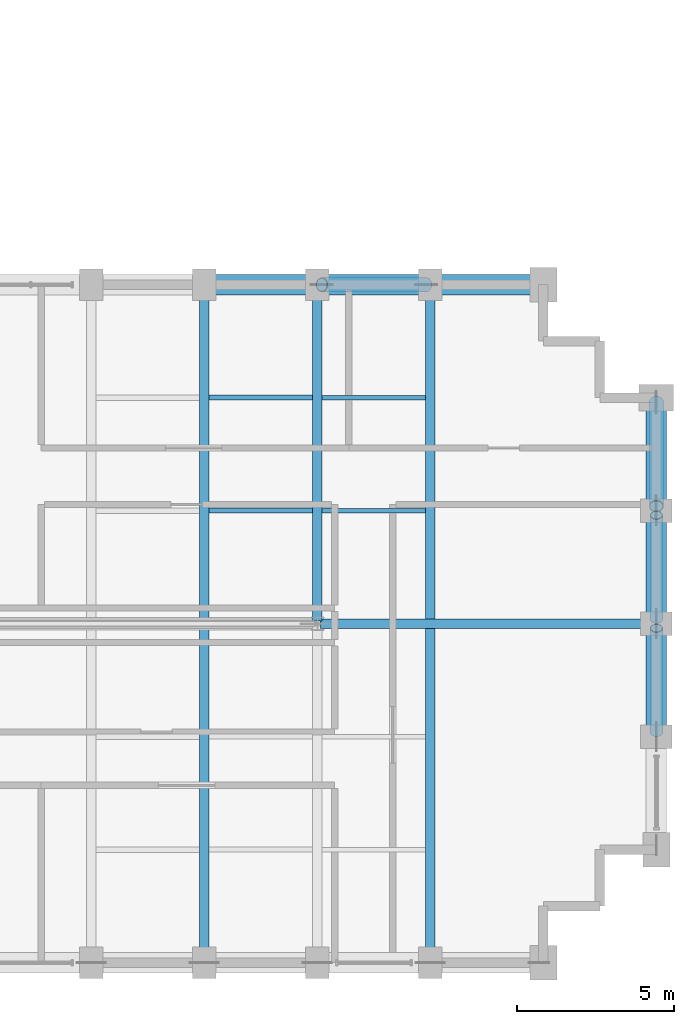
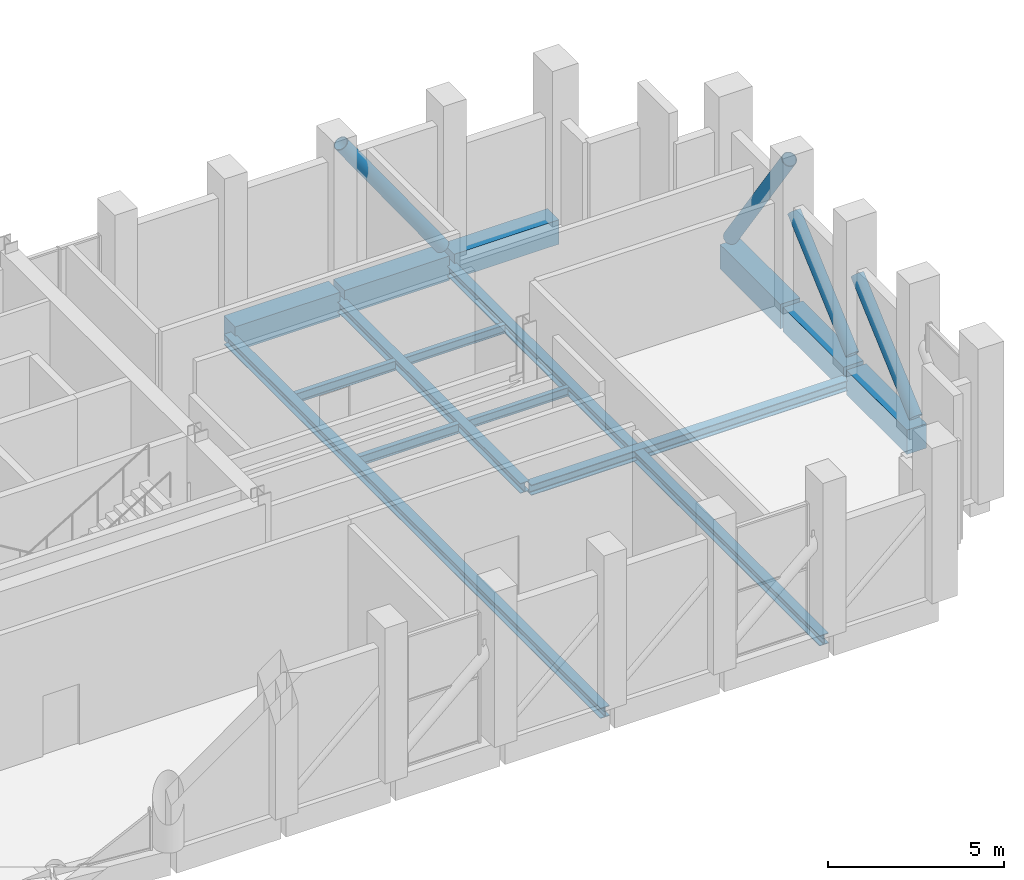
# One storey, part 10 of 19: 14 beams, 4 members.
"""IFC4 building model written with IfcOpenShell, lengths in metres."""

import ifcopenshell
import ifcopenshell.guid

model = None  # the IFC model being written
_history = None  # IfcOwnerHistory: only IFC2X3 demands one
_inside = {}  # id of a spatial element -> (the spatial element, [elements in it])
_under = {}  # id of a project, library or spatial element -> (it, [spatial elements below it])
_declared = {}  # id of a project -> (the project, [libraries it declares])
_typed = {}  # id of a type object -> (the type object, [elements of that type])
_made_of = {}  # id of a material, layer set ... -> (it, [elements and type objects made of it])


def new_model(schema):
    """Start an empty IFC model of exactly this schema.

    Asked for "IFC4X3", IfcOpenShell would pick the latest addendum, in which some entities
    have other attributes; the version numbers below select the first issue.
    IFC2X3 requires an IfcOwnerHistory on every rooted entity: one is made here for all.
    """
    global model, _history
    if schema == "IFC4X3":
        model = ifcopenshell.file(schema_version=(4, 3, 0, 0))
    else:
        model = ifcopenshell.file(schema=schema)
    _inside.clear()
    _under.clear()
    _declared.clear()
    _typed.clear()
    _made_of.clear()
    _history = None
    if model.schema == "IFC2X3":
        org = make("IfcOrganization", Name="unknown")
        user = make(
            "IfcPersonAndOrganization",
            ThePerson=make("IfcPerson", FamilyName="unknown"),
            TheOrganization=org,
        )
        app = make(
            "IfcApplication",
            ApplicationDeveloper=org,
            Version="unknown",
            ApplicationFullName="unknown",
            ApplicationIdentifier="unknown",
        )
        _history = make(
            "IfcOwnerHistory",
            OwningUser=user,
            OwningApplication=app,
            ChangeAction="ADDED",
            CreationDate=0,
        )
    return model


def make(cls, **values):
    """One entity of the class cls with the attributes given. An attribute that is None is left unset."""
    return model.create_entity(
        cls, **{name: value for name, value in values.items() if value is not None}
    )


def rooted(cls, **values):
    """An entity with a GlobalId (a new one), such as an element, a storey or a relation."""
    return make(cls, GlobalId=ifcopenshell.guid.new(), OwnerHistory=_history, **values)


def si_unit(unit_type, name, prefix=None):
    """IfcSIUnit, for example si_unit("LENGTHUNIT", "METRE", prefix="MILLI")."""
    return make("IfcSIUnit", UnitType=unit_type, Prefix=prefix, Name=name)


def assignment(units):
    """IfcUnitAssignment: the units of a project."""
    return None if units is None else make("IfcUnitAssignment", Units=units)


def point(xyz):
    """IfcCartesianPoint."""
    return None if xyz is None else make("IfcCartesianPoint", Coordinates=xyz)


def direction(xyz):
    """IfcDirection."""
    return None if xyz is None else make("IfcDirection", DirectionRatios=xyz)


def frame(location, z_axis=None, x_axis=None):
    """IfcAxis2Placement3D, a coordinate frame: its origin and axes. An axis left out is left unset."""
    return make(
        "IfcAxis2Placement3D",
        Location=point(location),
        Axis=direction(z_axis),
        RefDirection=direction(x_axis),
    )


def frame_2d(location, x_axis=None):
    """IfcAxis2Placement2D, a coordinate frame in the plane: its origin and x axis."""
    return make(
        "IfcAxis2Placement2D", Location=point(location), RefDirection=direction(x_axis)
    )


def origin():
    """The frame at (0, 0, 0) with its axes left unset."""
    return frame((0.0, 0.0, 0.0))


def origin_2d():
    """The frame at (0, 0) in the plane with its x axis left unset."""
    return frame_2d((0.0, 0.0))


def place(relative_to, where):
    """IfcLocalPlacement: puts the frame where relative to a parent placement (None: the world)."""
    return make(
        "IfcLocalPlacement", PlacementRelTo=relative_to, RelativePlacement=where
    )


def context(
    kind, dimensions, precision=None, world=None, true_north=None, identifier=None
):
    """IfcGeometricRepresentationContext, for example the 3D "Model" context."""
    return make(
        "IfcGeometricRepresentationContext",
        ContextIdentifier=identifier,
        ContextType=kind,
        CoordinateSpaceDimension=dimensions,
        Precision=precision,
        WorldCoordinateSystem=world,
        TrueNorth=true_north,
    )


def subcontext(parent, identifier, kind, view, scale=None):
    """IfcGeometricRepresentationSubContext, for example "Body" below "Model"."""
    return make(
        "IfcGeometricRepresentationSubContext",
        ContextIdentifier=identifier,
        ContextType=kind,
        ParentContext=parent,
        TargetScale=scale,
        TargetView=view,
    )


def project(units=None, contexts=None):
    """IfcProject with its units and contexts."""
    return rooted(
        "IfcProject",
        Name="project",
        RepresentationContexts=contexts,
        UnitsInContext=assignment(units),
    )


def spatial(cls, under=None, at=None, **own):
    """A site, building, storey or space (cls), placed at a placement, below another one or the project."""
    s = rooted(cls, ObjectPlacement=at, **own)
    if under is not None:
        _under.setdefault(under.id(), (under, []))[1].append(s)
    return s


def profile(cls, at=None, kind="AREA", **sizes):
    """A parametric profile (cls). Its sizes go by their IFC names, for example OverallWidth=200.0."""
    return make(cls, ProfileType=kind, Position=at, **sizes)


def rectangle(**sizes):
    """IfcRectangleProfileDef."""
    return profile("IfcRectangleProfileDef", **sizes)


def hollow_circle(**sizes):
    """IfcCircleHollowProfileDef."""
    return profile("IfcCircleHollowProfileDef", **sizes)


def i_section(**sizes):
    """IfcIShapeProfileDef."""
    return profile("IfcIShapeProfileDef", **sizes)


def extrude(swept, where, along, depth):
    """IfcExtrudedAreaSolid: the profile swept, set in the frame where, extruded along a direction by depth."""
    return make(
        "IfcExtrudedAreaSolid",
        SweptArea=swept,
        Position=where,
        ExtrudedDirection=direction(along),
        Depth=depth,
    )


def shape(context_of_items, identifier, shape_type, items):
    """IfcShapeRepresentation: the items that make up one representation, for example the "Body"."""
    return make(
        "IfcShapeRepresentation",
        ContextOfItems=context_of_items,
        RepresentationIdentifier=identifier,
        RepresentationType=shape_type,
        Items=items,
    )


def material(Name=None, Category=None):
    """IfcMaterial."""
    return make("IfcMaterial", Name=Name, Category=Category)


def material_profile(
    of_material, cross_section, Name=None, Category=None, Priority=None
):
    """IfcMaterialProfile: a cross section and its material."""
    return make(
        "IfcMaterialProfile",
        Name=Name,
        Material=of_material,
        Profile=cross_section,
        Priority=Priority,
        Category=Category,
    )


def profile_set(profiles, Name=None, composite=None):
    """IfcMaterialProfileSet."""
    return make(
        "IfcMaterialProfileSet",
        Name=Name,
        MaterialProfiles=profiles,
        CompositeProfile=composite,
    )


def made_of(thing, what):
    """Note that an element or type object is made of a material, layer set ...; save() writes the relation."""
    if what is not None:
        _made_of.setdefault(what.id(), (what, []))[1].append(thing)
    return thing


def type_object(cls, material=None, **own):
    """A type object (cls), such as IfcWallType, which elements share."""
    return made_of(rooted(cls, **own), material)


def element(
    cls,
    number,
    at=None,
    inside=None,
    cuts=None,
    type_object=None,
    material=None,
    context=None,
    identifier="Body",
    shape_type=None,
    held_by="IfcProductDefinitionShape",
    body=None,
    shapes=None,
    **own,
):
    """One element of the class cls, such as IfcWall. Its Tag is "e" and its number.

    at: its placement. inside: the storey or other place that contains it. cuts: it is an
    opening in that element (IfcRelVoidsElement). A single representation is given by context,
    identifier, shape_type and body (its items); several are given by shapes. held_by: the class
    of the entity that holds the representations. save() writes the other relations.
    """
    e = rooted(cls, Tag="e%d" % number, ObjectPlacement=at, **own)
    if body is not None:
        shapes = [shape(context, identifier, shape_type, body)]
    if shapes is not None:
        e.Representation = make(held_by, Representations=shapes)
    if inside is not None:
        _inside.setdefault(inside.id(), (inside, []))[1].append(e)
    if cuts is not None:
        rooted(
            "IfcRelVoidsElement", RelatingBuildingElement=cuts, RelatedOpeningElement=e
        )
    if type_object is not None:
        _typed.setdefault(type_object.id(), (type_object, []))[1].append(e)
    return made_of(e, material)


def aggregate(whole, parts):
    """IfcRelAggregates: a whole, such as a stair, and the parts it consists of."""
    return rooted("IfcRelAggregates", RelatingObject=whole, RelatedObjects=parts)


def save(model, path):
    """Write the relations noted so far, then the file.

    IfcRelAggregates (storeys below a building ...), IfcRelContainedInSpatialStructure (elements
    in a storey), IfcRelDefinesByType, IfcRelAssociatesMaterial and IfcRelDeclares: one each for
    every whole, place, type object, material and project.
    """
    for whole, parts in _under.values():
        aggregate(whole, parts)
    for where, things in _inside.values():
        rooted(
            "IfcRelContainedInSpatialStructure",
            RelatedElements=things,
            RelatingStructure=where,
        )
    for kind, things in _typed.values():
        rooted("IfcRelDefinesByType", RelatedObjects=things, RelatingType=kind)
    for what, things in _made_of.values():
        rooted("IfcRelAssociatesMaterial", RelatedObjects=things, RelatingMaterial=what)
    for by, libraries in _declared.values():
        rooted("IfcRelDeclares", RelatingContext=by, RelatedDefinitions=libraries)
    model.write(path)


model = new_model("IFC4")

# Units and contexts
model_context = context("Model", 3, precision=1e-05, world=origin(), true_north=direction((0.0, 1.0)))
body_context = subcontext(model_context, "Body", "Model", "MODEL_VIEW")
ifc_project = project(units=[si_unit("LENGTHUNIT", "METRE"), si_unit("AREAUNIT", "SQUARE_METRE"), si_unit("VOLUMEUNIT", "CUBIC_METRE"), si_unit("PLANEANGLEUNIT", "RADIAN"), si_unit("MASSUNIT", "GRAM", prefix="KILO")], contexts=[model_context])

# Site, building, storey
site_placement = place(None, origin())
site = spatial("IfcSite", under=ifc_project, at=site_placement, CompositionType="ELEMENT")
building_placement = place(site_placement, origin())
building = spatial("IfcBuilding", under=site, at=building_placement, Name="Solnavia Interchange Tower", CompositionType="ELEMENT")
storey_placement = place(building_placement, frame((0.0, 0.0, 169.39990234375)))
storey = spatial("IfcBuildingStorey", under=building, at=storey_placement, Name="L42", CompositionType="ELEMENT", Elevation=169.39990234375)

# Beams
ifc_material_1 = material(Name="Steel S460", Category="steel")
ifc_material_profile_1 = material_profile(ifc_material_1, i_section(OverallWidth=0.300048828125, OverallDepth=0.360107421875, WebThickness=0.012451171875, FlangeThickness=0.0224609375, FilletRadius=0.027099609375, at=origin_2d()), Name="HEB 360")
ifc_profile_set_1 = profile_set([ifc_material_profile_1], Name="Steel S460")
beam_type_1 = type_object("IfcBeamType", Name="Beam-Girder-HEB360", PredefinedType="BEAM", material=ifc_profile_set_1)
beam_1_placement = place(storey_placement, frame((43.280029296875, 14.39990234375, -0.5), z_axis=(1.0, 0.0, 0.0), x_axis=(0.0, 1.0, 0.0)))
element("IfcBeam", 1, at=beam_1_placement, inside=storey, type_object=beam_type_1, Name="GRD-L42-ES02 East wing spine girder", PredefinedType="BEAM", context=body_context, shape_type="SweptSolid", body=[
    extrude(i_section(OverallWidth=0.300048828125, OverallDepth=0.360107421875, WebThickness=0.012451171875, FlangeThickness=0.0224609375, FilletRadius=0.027099609375, at=origin_2d()), origin(), (0.0, 0.0, 1.0), 10.639892578125),
])
for number, where, z_axis, x_axis, name in (
    (2, (39.60009765625, 3.679931640625, -0.5), (0.0, 1.0, 0.0), (-1.0, 0.0, 0.0), "GRD-L42-EW04 East wing primary floor girder"),
    (3, (46.800048828125, 3.679931640625, -0.5), (0.0, 1.0, 0.0), (-1.0, 0.0, 0.0), "GRD-L42-EW07 East wing primary floor girder"),
):
    element("IfcBeam", number, at=place(storey_placement, frame(where, z_axis=z_axis, x_axis=x_axis)), inside=storey, type_object=beam_type_1, Name=name, PredefinedType="BEAM", context=body_context, shape_type="SweptSolid", body=[
        extrude(i_section(OverallWidth=0.300048828125, OverallDepth=0.360107421875, WebThickness=0.012451171875, FlangeThickness=0.0224609375, FilletRadius=0.027099609375, at=origin_2d()), origin(), (0.0, 0.0, 1.0), 21.440185546875),
    ])
ifc_material_2 = material(Name="Steel S355", Category="steel")
ifc_material_profile_2 = material_profile(ifc_material_2, i_section(OverallWidth=0.14990234375, OverallDepth=0.300048828125, WebThickness=0.007080078125, FlangeThickness=0.0107421875, FilletRadius=0.014892578125, at=origin_2d()), Name="IPE 300")
ifc_profile_set_2 = profile_set([ifc_material_profile_2], Name="Steel S355")
beam_type_2 = type_object("IfcBeamType", Name="Beam-Joist-IPE300", PredefinedType="JOIST", material=ifc_profile_set_2)
for number, where, z_axis, x_axis, name in (
    (4, (43.35009765625, 18.0, -0.469970703125), (1.0, 0.0, 0.0), (0.0, 1.0, 0.0), "JST-L42-E09 East wing secondary joist"),
    (5, (43.35009765625, 21.60009765625, -0.469970703125), (1.0, 0.0, 0.0), (0.0, 1.0, 0.0), "JST-L42-E12 East wing secondary joist"),
):
    element("IfcBeam", number, at=place(storey_placement, frame(where, z_axis=z_axis, x_axis=x_axis)), inside=storey, type_object=beam_type_2, Name=name, PredefinedType="JOIST", context=body_context, shape_type="SweptSolid", body=[
        extrude(i_section(OverallWidth=0.14990234375, OverallDepth=0.300048828125, WebThickness=0.007080078125, FlangeThickness=0.0107421875, FilletRadius=0.014892578125, at=origin_2d()), origin(), (0.0, 0.0, 1.0), 3.2998046875),
    ])
ifc_material_profile_3 = material_profile(ifc_material_2, i_section(OverallWidth=0.159912109375, OverallDepth=0.330078125, WebThickness=0.007568359375, FlangeThickness=0.011474609375, FilletRadius=0.01806640625, at=origin_2d()), Name="IPE 330")
ifc_profile_set_3 = profile_set([ifc_material_profile_3], Name="Steel S355")
beam_type_3 = type_object("IfcBeamType", Name="Beam-Joist-IPE330", PredefinedType="JOIST", material=ifc_profile_set_3)
for number, where, z_axis, x_axis, name in (
    (6, (39.75, 18.0, -0.48486328125), (1.0, 0.0, 0.0), (0.0, 1.0, 0.0), "JST-L42-E08 East wing secondary joist"),
    (7, (39.75, 21.60009765625, -0.48486328125), (1.0, 0.0, 0.0), (0.0, 1.0, 0.0), "JST-L42-E11 East wing secondary joist"),
):
    element("IfcBeam", number, at=place(storey_placement, frame(where, z_axis=z_axis, x_axis=x_axis)), inside=storey, type_object=beam_type_3, Name=name, PredefinedType="JOIST", context=body_context, shape_type="SweptSolid", body=[
        extrude(i_section(OverallWidth=0.159912109375, OverallDepth=0.330078125, WebThickness=0.007568359375, FlangeThickness=0.011474609375, FilletRadius=0.01806640625, at=origin_2d()), origin(), (0.0, 0.0, 1.0), 3.300048828125),
    ])
ifc_material_profile_4 = material_profile(ifc_material_2, i_section(OverallWidth=0.300048828125, OverallDepth=0.35009765625, WebThickness=0.010009765625, FlangeThickness=0.017578125, FilletRadius=0.027099609375, at=origin_2d()), Name="HEA 360")
ifc_profile_set_4 = profile_set([ifc_material_profile_4], Name="Steel S355")
beam_type_4 = type_object("IfcBeamType", Name="Beam-Primary-HEA360", PredefinedType="BEAM", material=ifc_profile_set_4)
beam_2_placement = place(storey_placement, frame((43.199951171875, 14.47998046875, -0.494873046875), z_axis=(0.0, 1.0, 0.0), x_axis=(-1.0, 0.0, 0.0)))
element("IfcBeam", 8, at=beam_2_placement, inside=storey, type_object=beam_type_4, Name="GRD-L42-EW06 East wing primary floor girder", PredefinedType="BEAM", context=body_context, shape_type="SweptSolid", body=[
    extrude(i_section(OverallWidth=0.300048828125, OverallDepth=0.35009765625, WebThickness=0.010009765625, FlangeThickness=0.017578125, FilletRadius=0.027099609375, at=origin_2d()), origin(), (0.0, 0.0, 1.0), 10.64013671875),
])
ifc_material_3 = material(Name="Concrete C50/60", Category="concrete")
ifc_material_profile_5 = material_profile(ifc_material_3, rectangle(XDim=0.64990234375, YDim=0.85009765625, at=origin_2d()), Name="RC 650x850")
ifc_profile_set_5 = profile_set([ifc_material_profile_5], Name="Concrete C50/60")
beam_type_5 = type_object("IfcBeamType", Name="Beam-Spandrel-RC650x850", PredefinedType="SPANDREL", material=ifc_profile_set_5)
beam_3_placement = place(storey_placement, frame((54.0, 10.8798828125, -0.4248046875), z_axis=(0.0, 1.0, 0.0), x_axis=(-1.0, 0.0, 0.0)))
element("IfcBeam", 9, at=beam_3_placement, inside=storey, type_object=beam_type_5, Name="SPB-L42-17 Framed-tube perimeter spandrel beam", PredefinedType="SPANDREL", context=body_context, shape_type="SweptSolid", body=[
    extrude(rectangle(XDim=0.64990234375, YDim=0.85009765625, at=origin_2d()), origin(), (0.0, 0.0, 1.0), 3.440185546875),
])
for number, where, z_axis, x_axis, name in (
    (10, (54.0, 14.47998046875, -0.4248046875), (0.0, 1.0, 0.0), (-1.0, 0.0, 0.0), "SPB-L42-18 Framed-tube perimeter spandrel beam"),
    (11, (54.0, 18.080078125, -0.4248046875), (0.0, 1.0, 0.0), (-1.0, 0.0, 0.0), "SPB-L42-19 Framed-tube perimeter spandrel beam"),
):
    element("IfcBeam", number, at=place(storey_placement, frame(where, z_axis=z_axis, x_axis=x_axis)), inside=storey, type_object=beam_type_5, Name=name, PredefinedType="SPANDREL", context=body_context, shape_type="SweptSolid", body=[
        extrude(rectangle(XDim=0.64990234375, YDim=0.85009765625, at=origin_2d()), origin(), (0.0, 0.0, 1.0), 3.43994140625),
    ])
beam_4_placement = place(storey_placement, frame((50.320068359375, 25.199951171875, -0.4248046875), z_axis=(-1.0, 0.0, 0.0), x_axis=(0.0, -1.0, 0.0)))
element("IfcBeam", 12, at=beam_4_placement, inside=storey, type_object=beam_type_5, Name="SPB-L42-20 Framed-tube perimeter spandrel beam", PredefinedType="SPANDREL", context=body_context, shape_type="SweptSolid", body=[
    extrude(rectangle(XDim=0.64990234375, YDim=0.85009765625, at=origin_2d()), origin(), (0.0, 0.0, 1.0), 3.440185546875),
])
beam_5_placement = place(storey_placement, frame((46.719970703125, 25.199951171875, -0.4248046875), z_axis=(-1.0, 0.0, 0.0), x_axis=(0.0, -1.0, 0.0)))
element("IfcBeam", 13, at=beam_5_placement, inside=storey, type_object=beam_type_5, Name="SPB-L42-21 Framed-tube perimeter spandrel beam", PredefinedType="SPANDREL", context=body_context, shape_type="SweptSolid", body=[
    extrude(rectangle(XDim=0.64990234375, YDim=0.85009765625, at=origin_2d()), origin(), (0.0, 0.0, 1.0), 3.43994140625),
])
beam_6_placement = place(storey_placement, frame((43.1201171875, 25.199951171875, -0.4248046875), z_axis=(-1.0, 0.0, 0.0), x_axis=(0.0, -1.0, 0.0)))
element("IfcBeam", 14, at=beam_6_placement, inside=storey, type_object=beam_type_5, Name="SPB-L42-22 Framed-tube perimeter spandrel beam", PredefinedType="SPANDREL", context=body_context, shape_type="SweptSolid", body=[
    extrude(rectangle(XDim=0.64990234375, YDim=0.85009765625, at=origin_2d()), origin(), (0.0, 0.0, 1.0), 3.440185546875),
])

# Members
ifc_material_profile_6 = material_profile(ifc_material_1, hollow_circle(Radius=0.228515625, WallThickness=0.02001953125, at=origin_2d()), Name="CHS 457x20")
ifc_profile_set_6 = profile_set([ifc_material_profile_6], Name="Steel S460")
member_type_1 = type_object("IfcMemberType", Name="Brace-Perim-CHS457", PredefinedType="BRACE", material=ifc_profile_set_6)
member_1_placement = place(storey_placement, frame((54.0, 21.4599609375, 0.18017578125), z_axis=(0.0, -0.575332007597, 0.817919972268), x_axis=(1.0, 0.0, 0.0)))
element("IfcMember", 15, at=member_1_placement, inside=storey, type_object=member_type_1, Name="BRC-L42-02 Perimeter tube diagonal brace", PredefinedType="BRACE", context=body_context, shape_type="SweptSolid", body=[
    extrude(hollow_circle(Radius=0.228515625, WallThickness=0.02001953125, at=origin_2d()), origin(), (0.0, 0.0, 1.0), 5.770751953125),
])
member_2_placement = place(storey_placement, frame((46.659912109375, 25.199951171875, 0.18017578125), z_axis=(-0.575303703517, 0.0, 0.817939880871), x_axis=(0.0, -1.0, 0.0)))
element("IfcMember", 16, at=member_2_placement, inside=storey, type_object=member_type_1, Name="BRC-L42-04 Perimeter tube diagonal brace", PredefinedType="BRACE", context=body_context, shape_type="SweptSolid", body=[
    extrude(hollow_circle(Radius=0.228515625, WallThickness=0.02001953125, at=origin_2d()), origin(), (0.0, 0.0, 1.0), 5.7705078125),
])
ifc_material_profile_7 = material_profile(ifc_material_1, hollow_circle(Radius=0.203125, WallThickness=0.02001953125, at=origin_2d()), Name="CHS 406.4x20")
ifc_profile_set_7 = profile_set([ifc_material_profile_7], Name="Steel S460")
member_type_2 = type_object("IfcMemberType", Name="Outrigger-Diag-CHS406", PredefinedType="BRACE", material=ifc_profile_set_7)
for number, where, z_axis, x_axis, name in (
    (17, (54.0, 10.93994140625, 0.300048828125), (0.0, 0.747545781752, 0.664210286118), (-1.0, 0.0, 0.0), "OTR-L42-BT08 Belt truss diagonal"),
    (18, (54.0, 14.5400390625, 0.300048828125), (0.0, 0.747545781752, 0.664210286118), (-1.0, 0.0, 0.0), "OTR-L42-BT09 Belt truss diagonal"),
):
    element("IfcMember", number, at=place(storey_placement, frame(where, z_axis=z_axis, x_axis=x_axis)), inside=storey, type_object=member_type_2, Name=name, PredefinedType="BRACE", context=body_context, shape_type="SweptSolid", body=[
        extrude(hollow_circle(Radius=0.203125, WallThickness=0.02001953125, at=origin_2d()), origin(), (0.0, 0.0, 1.0), 4.44140625),
    ])

save(model, "model.ifc")
